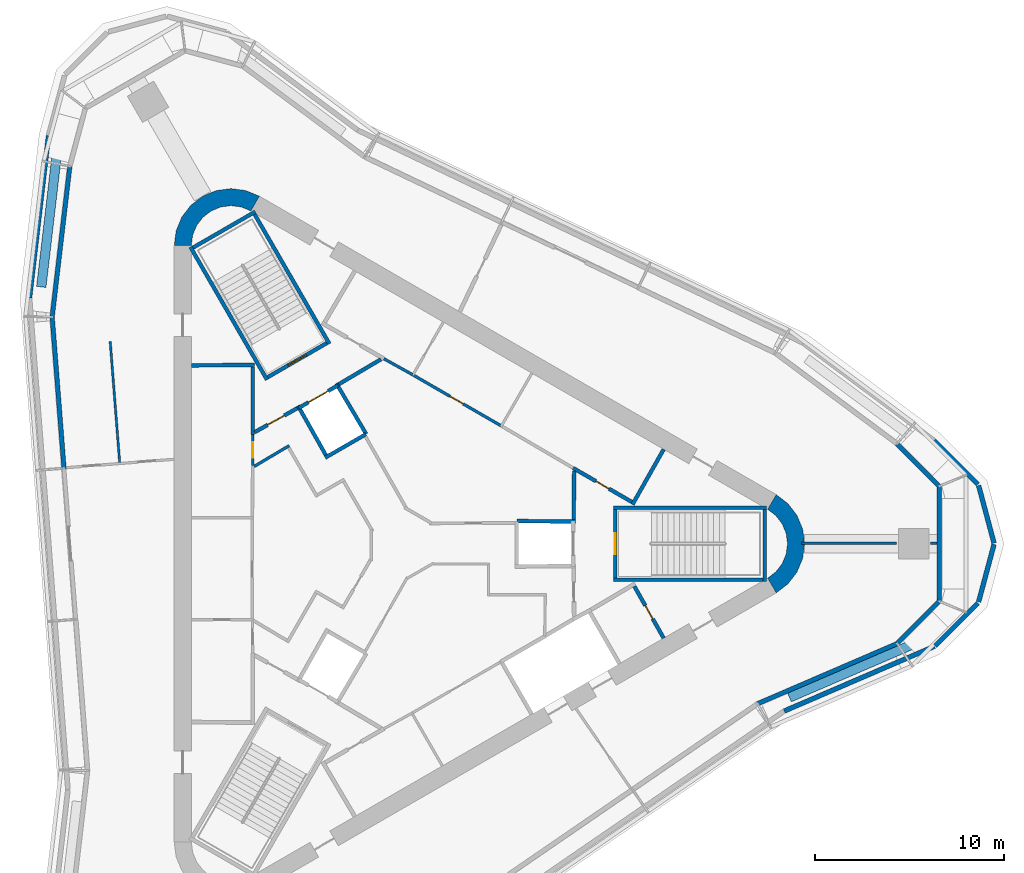
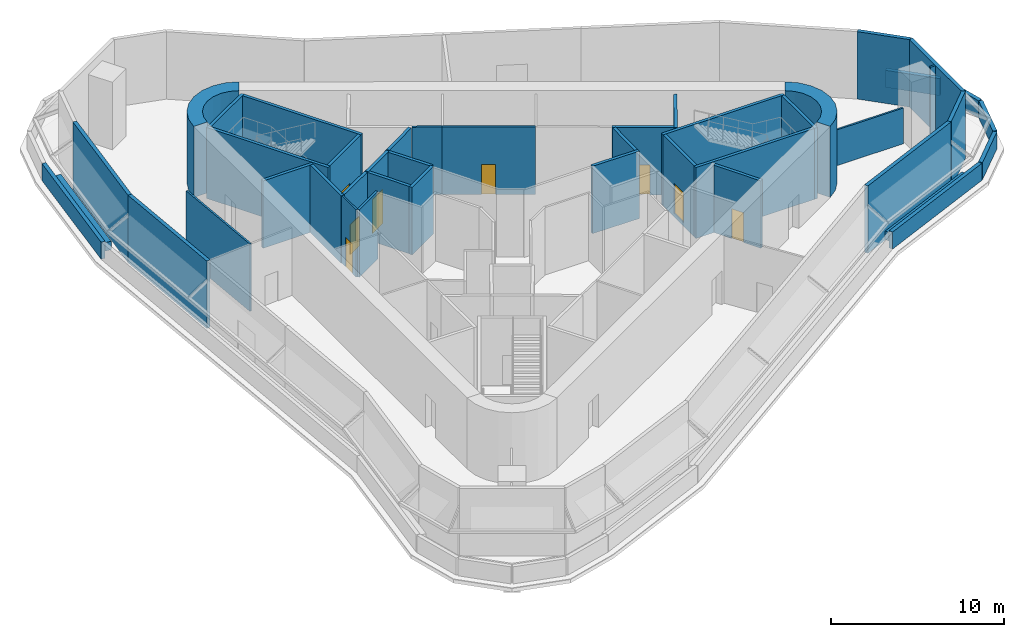
# One storey, part 6 of 8: 44 walls, 8 doors, 8 openings.
"""IFC4 building model written with IfcOpenShell, lengths in metres."""

from ifc_helpers import new_model, si_unit, direction, frame, frame_2d, origin, place, context, subcontext, project, spatial, polyline, rectangle, outline, extrude, material, layer, layer_set, type_object, element, fill, save


model = new_model("IFC4")

# Units and contexts
model_context = context("Model", 3, precision=1e-05, world=origin(), true_north=direction((0.0, 1.0)))
body_context = subcontext(model_context, "Body", "Model", "MODEL_VIEW")
ifc_project = project(units=[si_unit("LENGTHUNIT", "METRE"), si_unit("AREAUNIT", "SQUARE_METRE"), si_unit("VOLUMEUNIT", "CUBIC_METRE"), si_unit("PLANEANGLEUNIT", "RADIAN"), si_unit("MASSUNIT", "GRAM", prefix="KILO")], contexts=[model_context])

# Site, building, storey
site_placement = place(None, origin())
site = spatial("IfcSite", under=ifc_project, at=site_placement, CompositionType="ELEMENT")
building_placement = place(site_placement, origin())
building = spatial("IfcBuilding", under=site, at=building_placement, Name="Tanit Gate Tower", CompositionType="ELEMENT")
storey_placement = place(building_placement, frame((0.0, 0.0, 415.300048828125)))
storey = spatial("IfcBuildingStorey", under=building, at=storey_placement, Name="L94", CompositionType="ELEMENT", Elevation=415.300048828125)

# Walls
ifc_material_1 = material(Name="Concrete C40/50", Category="concrete")
ifc_layer_1 = layer(ifc_material_1, 0.89990234375)
ifc_layer_set_1 = layer_set([ifc_layer_1], Name="CORE WALL 900 C40/50")
wall_type_1 = type_object("IfcWallType", Name="CORE WALL 900 C40/50", PredefinedType="SHEAR", material=ifc_layer_set_1)
wall_1_placement = place(storey_placement, origin())
element("IfcWall", 1, at=wall_1_placement, inside=storey, type_object=wall_type_1, Name="CORE WALL CORNER", PredefinedType="SHEAR", context=body_context, shape_type="SweptSolid", body=[
    extrude(outline(polyline([(-7.60009765625, 18.359619140625), (-8.323486328125, 18.659423828125), (-9.10009765625, 18.76171875), (-9.87646484375, 18.659423828125), (-10.60009765625, 18.359619140625), (-11.22119140625, 17.883056640625), (-11.697998046875, 17.26171875), (-11.997802734375, 16.5380859375), (-12.10009765625, 15.76171875), (-11.199951171875, 15.76171875), (-11.12841796875, 16.30517578125), (-10.918701171875, 16.811767578125), (-10.5849609375, 17.24658203125), (-10.14990234375, 17.580322265625), (-9.6435546875, 17.7900390625), (-9.10009765625, 17.86181640625), (-8.556396484375, 17.7900390625), (-8.050048828125, 17.580322265625), (-7.60009765625, 18.359619140625)])), origin(), (0.0, 0.0, 1.0), 5.0),
])
wall_2_placement = place(storey_placement, origin())
element("IfcWall", 2, at=wall_2_placement, inside=storey, type_object=wall_type_1, Name="CORE WALL CORNER", PredefinedType="SHEAR", context=body_context, shape_type="SweptSolid", body=[
    extrude(outline(polyline([(19.699951171875, -2.59814453125), (20.3212890625, -2.121337890625), (20.798095703125, -1.5), (21.097900390625, -0.776611328125), (21.199951171875, 0.0), (21.097900390625, 0.776611328125), (20.798095703125, 1.5), (20.3212890625, 2.121337890625), (19.699951171875, 2.59814453125), (19.25, 1.818603515625), (19.684814453125, 1.48486328125), (20.018798828125, 1.050048828125), (20.228515625, 0.54345703125), (20.300048828125, 0.0), (20.228515625, -0.54345703125), (20.018798828125, -1.050048828125), (19.684814453125, -1.48486328125), (19.25, -1.818603515625), (19.699951171875, -2.59814453125)])), origin(), (0.0, 0.0, 1.0), 5.0),
])
ifc_material_2 = material(Name="Concrete C30/37 with bronze anodised aluminium cladding", Category="concrete")
ifc_layer_2 = layer(ifc_material_2, 0.239990234375)
ifc_layer_set_2 = layer_set([ifc_layer_2], Name="Facade wall bronze clad 240")
wall_type_2 = type_object("IfcWallType", Name="Facade wall bronze clad 240", PredefinedType="SOLIDWALL", material=ifc_layer_set_2)
wall_3_placement = place(storey_placement, frame((-17.61572265625, 19.94287109375, 0.0), z_axis=(0.0, 0.0, 1.0), x_axis=(-0.116343174056, -0.993209074591, 0.0)))
element("IfcWall", 3, at=wall_3_placement, inside=storey, type_object=wall_type_2, Name="Bronze-clad facade wall L94 W1", PredefinedType="SOLIDWALL", context=body_context, shape_type="SweptSolid", body=[
    extrude(rectangle(XDim=8.020263671875, YDim=0.239990234375, at=frame_2d((4.01025390625, 0.0))), origin(), (0.0, 0.0, 1.0), 4.75),
])
wall_4_placement = place(storey_placement, frame((-18.548828125, 11.97705078125, 0.0), z_axis=(0.0, 0.0, 1.0), x_axis=(0.077862150408, -0.996964134527, 0.0)))
element("IfcWall", 4, at=wall_4_placement, inside=storey, type_object=wall_type_2, Name="Bronze-clad facade wall L94 W2a", PredefinedType="SOLIDWALL", context=body_context, shape_type="SweptSolid", body=[
    extrude(rectangle(XDim=8.02392578125, YDim=0.239990234375, at=frame_2d((4.011962890625, 0.0))), origin(), (0.0, 0.0, 1.0), 4.75),
])
wall_5_placement = place(storey_placement, frame((18.715576171875, -8.452880859375, 0.0), z_axis=(0.0, 0.0, 1.0), x_axis=(0.91830312374, 0.395877977323, 0.0)))
element("IfcWall", 5, at=wall_5_placement, inside=storey, type_object=wall_type_2, Name="Bronze-clad facade wall L94 SE3", PredefinedType="SOLIDWALL", context=body_context, shape_type="SweptSolid", body=[
    extrude(rectangle(XDim=8.029541015625, YDim=0.239990234375, at=frame_2d((4.0146484375, 0.0))), origin(), (0.0, 0.0, 1.0), 4.75),
])
wall_6_placement = place(storey_placement, frame((26.089111328125, -5.274169921875, 0.0), z_axis=(0.0, 0.0, 1.0), x_axis=(0.707106781187, 0.707106781187, 0.0)))
element("IfcWall", 6, at=wall_6_placement, inside=storey, type_object=wall_type_2, Name="Bronze-clad facade wall L94 E.arc1", PredefinedType="SOLIDWALL", context=body_context, shape_type="SweptSolid", body=[
    extrude(rectangle(XDim=3.15771484375, YDim=0.239990234375, at=frame_2d((1.578857421875, 0.0))), origin(), (0.0, 0.0, 1.0), 4.75),
])
wall_7_placement = place(storey_placement, frame((28.322021484375, -3.041259765625, 0.0), z_axis=(0.0, 0.0, 1.0), x_axis=(0.0, 1.0, 0.0)))
element("IfcWall", 7, at=wall_7_placement, inside=storey, type_object=wall_type_2, Name="Bronze-clad facade wall L94 E.arc2", PredefinedType="SOLIDWALL", context=body_context, shape_type="SweptSolid", body=[
    extrude(rectangle(XDim=6.08251953125, YDim=0.239990234375, at=frame_2d((3.041259765625, 0.0))), origin(), (0.0, 0.0, 1.0), 4.75),
])
wall_8_placement = place(storey_placement, frame((28.322021484375, 3.041259765625, 0.0), z_axis=(0.0, 0.0, 1.0), x_axis=(-0.707106781187, 0.707106781187, 0.0)))
element("IfcWall", 8, at=wall_8_placement, inside=storey, type_object=wall_type_2, Name="Bronze-clad facade wall L94 E.arc3", PredefinedType="SOLIDWALL", context=body_context, shape_type="SweptSolid", body=[
    extrude(rectangle(XDim=3.17236328125, YDim=0.239990234375, at=frame_2d((1.586181640625, 0.0))), origin(), (0.0, 0.0, 1.0), 4.75),
])
ifc_material_3 = material(Name="Fire-rated gypsum board partition")
ifc_layer_3 = layer(ifc_material_3, 0.199951171875)
ifc_layer_set_3 = layer_set([ifc_layer_3], Name="INT-WALL-COMPARTMENT")
wall_type_3 = type_object("IfcWallType", Name="INT-WALL-COMPARTMENT", PredefinedType="PARTITIONING", material=ifc_layer_set_3)
wall_9_placement = place(storey_placement, frame((-7.85009765625, 9.450927734375, 0.0), z_axis=(0.0, 0.0, 1.0), x_axis=(-0.999957167047, -0.009255488683, 0.0)))
element("IfcWall", 9, at=wall_9_placement, inside=storey, type_object=wall_type_3, Name="Wall Compartment W031", PredefinedType="PARTITIONING", context=body_context, shape_type="SweptSolid", body=[
    extrude(rectangle(XDim=3.35009765625, YDim=0.199951171875, at=frame_2d((1.675048828125, 0.0))), origin(), (0.0, 0.0, 1.0), 4.75),
])
wall_10_placement = place(storey_placement, frame((-7.949951171875, 5.7724609375, 0.0), z_axis=(0.0, 0.0, 1.0), x_axis=(0.0, 1.0, 0.0)))
element("IfcWall", 10, at=wall_10_placement, inside=storey, type_object=wall_type_3, Name="Wall Compartment W032", PredefinedType="PARTITIONING", context=body_context, shape_type="SweptSolid", body=[
    extrude(rectangle(XDim=3.57763671875, YDim=0.199951171875, at=frame_2d((1.788818359375, 0.0))), origin(), (0.0, 0.0, 1.0), 4.75),
])
wall_11_placement = place(storey_placement, frame((12.10986328125, 2.07275390625, 0.0), z_axis=(0.0, 0.0, 1.0), x_axis=(0.49196600604, 0.870614408852, 0.0)))
element("IfcWall", 11, at=wall_11_placement, inside=storey, type_object=wall_type_3, Name="Wall Compartment W041", PredefinedType="PARTITIONING", context=body_context, shape_type="SweptSolid", body=[
    extrude(rectangle(XDim=3.35009765625, YDim=0.199951171875, at=frame_2d((1.675048828125, 0.0))), origin(), (0.0, 0.0, 1.0), 4.75),
])

# Wall, opening, door
wall_12_placement = place(storey_placement, frame((8.97412109375, 3.998779296875, 0.0), z_axis=(0.0, 0.0, 1.0), x_axis=(0.86601284211, -0.500021756827, 0.0)))
wall_12 = element("IfcWall", 12, at=wall_12_placement, inside=storey, type_object=wall_type_3, Name="Wall Compartment W042", PredefinedType="PARTITIONING", context=body_context, shape_type="SweptSolid", body=[
    extrude(rectangle(XDim=3.577392578125, YDim=0.199951171875, at=frame_2d((1.78857421875, 0.0))), origin(), (0.0, 0.0, 1.0), 4.75),
])
opening_1_placement = place(wall_12_placement, frame((1.388916015625, 0.0, 0.0)))
opening_1 = element("IfcOpeningElement", 13, at=opening_1_placement, cuts=wall_12, Name="Opening R08-94-16", PredefinedType="OPENING", context=body_context, shape_type="SweptSolid", body=[
    extrude(rectangle(XDim=0.800048828125, YDim=2.10009765625, at=frame_2d((0.39990234375, 1.050048828125))), frame((0.0, 0.10986328125, 0.0), z_axis=(0.0, -1.0, 0.0), x_axis=(1.0, 0.0, 0.0)), (0.0, 0.0, 1.0), 0.219970703125),
])
ifc_material_4 = material(Name="Timber door leaf", Category="wood")
door_type_1 = type_object("IfcDoorType", Name="INT-DOOR-RISER-800", OperationType="NOTDEFINED", PredefinedType="USERDEFINED", material=ifc_material_4)
door_1_placement = place(opening_1_placement, origin())
door_1 = element("IfcDoor", 14, at=door_1_placement, inside=storey, type_object=door_type_1, Name="Door R08-94-16", ObjectType="FIRE DOOR", OperationType="SINGLE_SWING_LEFT", OverallHeight=2.10009765625, OverallWidth=0.800048828125, PredefinedType="USERDEFINED", context=body_context, shape_type="SweptSolid", body=[
    extrude(rectangle(XDim=0.800048828125, YDim=2.10009765625, at=frame_2d((0.39990234375, 1.050048828125))), frame((0.0, 0.02490234375, 0.0), z_axis=(0.0, -1.0, 0.0), x_axis=(1.0, 0.0, 0.0)), (0.0, 0.0, 1.0), 0.050048828125),
])
fill(opening_1, door_1)

wall_13_placement = place(storey_placement, frame((13.758056640625, -4.989501953125, 0.0), z_axis=(0.0, 0.0, 1.0), x_axis=(-0.491993409184, 0.87059892334, 0.0)))
wall_13 = element("IfcWall", 15, at=wall_13_placement, inside=storey, type_object=wall_type_3, Name="Wall Compartment W055", PredefinedType="PARTITIONING", context=body_context, shape_type="SweptSolid", body=[
    extrude(rectangle(XDim=3.150146484375, YDim=0.199951171875, at=frame_2d((1.5751953125, 0.0))), origin(), (0.0, 0.0, 1.0), 4.75),
])
opening_2_placement = place(wall_13_placement, frame((1.175048828125, 0.0, 0.0)))
opening_2 = element("IfcOpeningElement", 16, at=opening_2_placement, cuts=wall_13, Name="Opening R08-94-21", PredefinedType="OPENING", context=body_context, shape_type="SweptSolid", body=[
    extrude(rectangle(XDim=0.800048828125, YDim=2.10009765625, at=frame_2d((0.39990234375, 1.050048828125))), frame((0.0, 0.10986328125, 0.0), z_axis=(0.0, -1.0, 0.0), x_axis=(1.0, 0.0, 0.0)), (0.0, 0.0, 1.0), 0.219970703125),
])
door_2_placement = place(opening_2_placement, origin())
door_2 = element("IfcDoor", 17, at=door_2_placement, inside=storey, type_object=door_type_1, Name="Door R08-94-21", ObjectType="FIRE DOOR", OperationType="SINGLE_SWING_RIGHT", OverallHeight=2.10009765625, OverallWidth=0.800048828125, PredefinedType="USERDEFINED", context=body_context, shape_type="SweptSolid", body=[
    extrude(rectangle(XDim=0.800048828125, YDim=2.10009765625, at=frame_2d((0.39990234375, 1.050048828125))), frame((0.0, 0.02490234375, 0.0), z_axis=(0.0, -1.0, 0.0), x_axis=(1.0, 0.0, 0.0)), (0.0, 0.0, 1.0), 0.050048828125),
])
fill(opening_2, door_2)

# Walls
for number, where, z_axis, x_axis, name in (
    (18, (9.0009765625, 1.27001953125, 0.0), (0.0, 0.0, 1.0), (0.010780534828, 0.999941888346, 0.0), "Wall Compartment W056"),
    (19, (-1.1787109375, 9.744873046875, 0.0), (0.0, 0.0, 1.0), (-0.860630814782, -0.509229418482, 0.0), "Wall Compartment W058"),
):
    element("IfcWall", number, at=place(storey_placement, frame(where, z_axis=z_axis, x_axis=x_axis)), inside=storey, type_object=wall_type_3, Name=name, PredefinedType="PARTITIONING", context=body_context, shape_type="SweptSolid", body=[
        extrude(rectangle(XDim=2.581787109375, YDim=0.199951171875, at=frame_2d((1.291015625, 0.0))), origin(), (0.0, 0.0, 1.0), 4.75),
    ])

# Wall, opening, door
wall_14_placement = place(storey_placement, frame((-5.600341796875, 7.16015625, 0.0), z_axis=(0.0, 0.0, 1.0), x_axis=(-0.871350695252, -0.490660744185, 0.0)))
wall_14 = element("IfcWall", 20, at=wall_14_placement, inside=storey, type_object=wall_type_3, Name="Wall Compartment W059", PredefinedType="PARTITIONING", context=body_context, shape_type="SweptSolid", body=[
    extrude(rectangle(XDim=2.58203125, YDim=0.199951171875, at=frame_2d((1.291015625, 0.0))), origin(), (0.0, 0.0, 1.0), 4.75),
])
opening_3_placement = place(wall_14_placement, frame((0.791015625, 0.0, 0.0)))
opening_3 = element("IfcOpeningElement", 21, at=opening_3_placement, cuts=wall_14, Name="Opening F10-94-05", PredefinedType="OPENING", context=body_context, shape_type="SweptSolid", body=[
    extrude(rectangle(XDim=1.0, YDim=2.10009765625, at=frame_2d((0.5, 1.050048828125))), frame((0.0, 0.10986328125, 0.0), z_axis=(0.0, -1.0, 0.0), x_axis=(1.0, 0.0, 0.0)), (0.0, 0.0, 1.0), 0.219970703125),
])
ifc_material_5 = material(Name="Fire-rated steel door leaf", Category="steel")
door_type_2 = type_object("IfcDoorType", Name="INT-DOOR-FIRE-1000", OperationType="NOTDEFINED", PredefinedType="USERDEFINED", material=ifc_material_5)
door_3_placement = place(opening_3_placement, origin())
door_3 = element("IfcDoor", 22, at=door_3_placement, inside=storey, type_object=door_type_2, Name="Door F10-94-05", ObjectType="FIRE DOOR", OperationType="SINGLE_SWING_RIGHT", OverallHeight=2.10009765625, OverallWidth=1.0, PredefinedType="USERDEFINED", context=body_context, shape_type="SweptSolid", body=[
    extrude(rectangle(XDim=1.0, YDim=2.10009765625, at=frame_2d((0.5, 1.050048828125))), frame((0.0, 0.02490234375, 0.0), z_axis=(0.0, -1.0, 0.0), x_axis=(1.0, 0.0, 0.0)), (0.0, 0.0, 1.0), 0.050048828125),
])
fill(opening_3, door_3)

ifc_material_6 = material(Name="Gypsum board partition")
ifc_layer_4 = layer(ifc_material_6, 0.1201171875)
ifc_layer_set_4 = layer_set([ifc_layer_4], Name="INT-WALL-PARTITION")
wall_type_4 = type_object("IfcWallType", Name="INT-WALL-PARTITION", PredefinedType="PARTITIONING", material=ifc_layer_set_4)
wall_15_placement = place(storey_placement, frame((-7.949951171875, 4.128173828125, 0.0), z_axis=(0.0, 0.0, 1.0), x_axis=(0.0, 1.0, 0.0)))
wall_15 = element("IfcWall", 23, at=wall_15_placement, inside=storey, type_object=wall_type_4, Name="Wall Partition W034", PredefinedType="PARTITIONING", context=body_context, shape_type="SweptSolid", body=[
    extrude(rectangle(XDim=1.644287109375, YDim=0.1201171875, at=frame_2d((0.822265625, 0.0))), origin(), (0.0, 0.0, 1.0), 4.75),
])
opening_4_placement = place(wall_15_placement, frame((0.422119140625, 0.0, 0.0)))
opening_4 = element("IfcOpeningElement", 24, at=opening_4_placement, cuts=wall_15, Name="Opening R08-94-13", PredefinedType="OPENING", context=body_context, shape_type="SweptSolid", body=[
    extrude(rectangle(XDim=0.800048828125, YDim=2.10009765625, at=frame_2d((0.39990234375, 1.050048828125))), frame((0.0, 0.070068359375, 0.0), z_axis=(0.0, -1.0, 0.0), x_axis=(1.0, 0.0, 0.0)), (0.0, 0.0, 1.0), 0.14013671875),
])
door_4_placement = place(opening_4_placement, origin())
door_4 = element("IfcDoor", 25, at=door_4_placement, inside=storey, type_object=door_type_1, Name="Door R08-94-13", ObjectType="FIRE DOOR", OperationType="SINGLE_SWING_RIGHT", OverallHeight=2.10009765625, OverallWidth=0.800048828125, PredefinedType="USERDEFINED", context=body_context, shape_type="SweptSolid", body=[
    extrude(rectangle(XDim=0.800048828125, YDim=2.10009765625, at=frame_2d((0.39990234375, 1.050048828125))), frame((0.0, 0.02490234375, 0.0), z_axis=(0.0, -1.0, 0.0), x_axis=(1.0, 0.0, 0.0)), (0.0, 0.0, 1.0), 0.050048828125),
])
fill(opening_4, door_4)

# Walls
wall_16_placement = place(storey_placement, frame((-15.483154296875, 10.687744140625, 0.0), z_axis=(0.0, 0.0, 1.0), x_axis=(0.077862584508, -0.996964100624, 0.0)))
element("IfcWall", 26, at=wall_16_placement, inside=storey, type_object=wall_type_4, Name="Wall Partition W080", PredefinedType="PARTITIONING", context=body_context, shape_type="SweptSolid", body=[
    extrude(rectangle(XDim=6.5, YDim=0.1201171875, at=frame_2d((3.25, 0.0))), origin(), (0.0, 0.0, 1.0), 4.75),
])
wall_17_placement = place(storey_placement, frame((21.046142578125, 0.030029296875, 0.0), z_axis=(0.0, 0.0, 1.0), x_axis=(1.0, 0.0, 0.0)))
element("IfcWall", 27, at=wall_17_placement, inside=storey, type_object=wall_type_4, Name="Wall Partition W086", PredefinedType="PARTITIONING", context=body_context, shape_type="SweptSolid", body=[
    extrude(rectangle(XDim=5.014892578125, YDim=0.1201171875, at=frame_2d((2.50732421875, 0.0))), origin(), (0.0, 0.0, 1.0), 2.52001953125),
])
wall_18_placement = place(storey_placement, frame((27.861083984375, 0.030029296875, 0.0), z_axis=(0.0, 0.0, 1.0), x_axis=(1.0, 0.0, 0.0)))
element("IfcWall", 28, at=wall_18_placement, inside=storey, type_object=wall_type_4, Name="Wall Partition W087", PredefinedType="PARTITIONING", context=body_context, shape_type="SweptSolid", body=[
    extrude(rectangle(XDim=0.3408203125, YDim=0.1201171875, at=frame_2d((0.17041015625, 0.0))), origin(), (0.0, 0.0, 1.0), 4.75),
])

# Wall, opening, door
ifc_material_7 = material(Name="Fire-rated gypsum board partition")
ifc_layer_5 = layer(ifc_material_7, 0.14990234375)
ifc_layer_set_5 = layer_set([ifc_layer_5], Name="INT-WALL-RISER")
wall_type_5 = type_object("IfcWallType", Name="INT-WALL-RISER", PredefinedType="PLUMBINGWALL", material=ifc_layer_set_5)
wall_19_placement = place(storey_placement, frame((5.1591796875, 6.23583984375, 0.0), z_axis=(0.0, 0.0, 1.0), x_axis=(-0.866028230842, 0.499995103361, 0.0)))
wall_19 = element("IfcWall", 29, at=wall_19_placement, inside=storey, type_object=wall_type_5, Name="Wall Riser W045", PredefinedType="PLUMBINGWALL", context=body_context, shape_type="SweptSolid", body=[
    extrude(rectangle(XDim=5.39990234375, YDim=0.14990234375, at=frame_2d((2.699951171875, 0.0))), origin(), (0.0, 0.0, 1.0), 4.75),
])
opening_5_placement = place(wall_19_placement, frame((2.300048828125, 0.0, 0.0)))
opening_5 = element("IfcOpeningElement", 30, at=opening_5_placement, cuts=wall_19, Name="Opening R08-94-23", PredefinedType="OPENING", context=body_context, shape_type="SweptSolid", body=[
    extrude(rectangle(XDim=0.800048828125, YDim=2.10009765625, at=frame_2d((0.39990234375, 1.050048828125))), frame((0.0, 0.0849609375, 0.0), z_axis=(0.0, -1.0, 0.0), x_axis=(1.0, 0.0, 0.0)), (0.0, 0.0, 1.0), 0.169921875),
])
door_5_placement = place(opening_5_placement, origin())
door_5 = element("IfcDoor", 31, at=door_5_placement, inside=storey, type_object=door_type_1, Name="Door R08-94-23", ObjectType="FIRE DOOR", OperationType="SINGLE_SWING_RIGHT", OverallHeight=2.10009765625, OverallWidth=0.800048828125, PredefinedType="USERDEFINED", context=body_context, shape_type="SweptSolid", body=[
    extrude(rectangle(XDim=0.800048828125, YDim=2.10009765625, at=frame_2d((0.39990234375, 1.050048828125))), frame((0.0, 0.02490234375, 0.0), z_axis=(0.0, -1.0, 0.0), x_axis=(1.0, 0.0, 0.0)), (0.0, 0.0, 1.0), 0.050048828125),
])
fill(opening_5, door_5)

# Walls
wall_20_placement = place(storey_placement, frame((0.482666015625, 8.935791015625, 0.0), z_axis=(0.0, 0.0, 1.0), x_axis=(-0.874290944206, 0.485402250592, 0.0)))
element("IfcWall", 32, at=wall_20_placement, inside=storey, type_object=wall_type_5, Name="Wall Riser W048", PredefinedType="PLUMBINGWALL", context=body_context, shape_type="SweptSolid", body=[
    extrude(rectangle(XDim=1.72265625, YDim=0.14990234375, at=frame_2d((0.861328125, 0.0))), origin(), (0.0, 0.0, 1.0), 4.75),
])
wall_21_placement = place(storey_placement, frame((-6.023681640625, 5.183349609375, 0.0), z_axis=(0.0, 0.0, 1.0), x_axis=(-0.860114558627, -0.510100917503, 0.0)))
element("IfcWall", 33, at=wall_21_placement, inside=storey, type_object=wall_type_5, Name="Wall Riser W071", PredefinedType="PLUMBINGWALL", context=body_context, shape_type="SweptSolid", body=[
    extrude(rectangle(XDim=2.15185546875, YDim=0.14990234375, at=frame_2d((1.075927734375, 0.0))), origin(), (0.0, 0.0, 1.0), 4.75),
])
ifc_material_8 = material(Name="Gypsum shaft wall system")
ifc_layer_6 = layer(ifc_material_8, 0.199951171875)
ifc_layer_set_6 = layer_set([ifc_layer_6], Name="INT-WALL-SHAFT")
wall_type_6 = type_object("IfcWallType", Name="INT-WALL-SHAFT", PredefinedType="PLUMBINGWALL", material=ifc_layer_set_6)
wall_22_placement = place(storey_placement, frame((6.0, 1.199951171875, 0.0), z_axis=(0.0, 0.0, 1.0), x_axis=(0.999949988, -0.010001074852, 0.0)))
element("IfcWall", 34, at=wall_22_placement, inside=storey, type_object=wall_type_6, Name="Wall Shaft W011", PredefinedType="PLUMBINGWALL", context=body_context, shape_type="SweptSolid", body=[
    extrude(rectangle(XDim=3.100341796875, YDim=0.199951171875, at=frame_2d((1.55029296875, 0.0))), origin(), (0.0, 0.0, 1.0), 4.75),
])

# Wall, opening, door
wall_23_placement = place(storey_placement, frame((-5.524169921875, 7.168212890625, 0.0), z_axis=(0.0, 0.0, 1.0), x_axis=(0.866024647952, 0.500001309137, 0.0)))
wall_23 = element("IfcWall", 35, at=wall_23_placement, inside=storey, type_object=wall_type_6, Name="Wall Shaft W018", PredefinedType="PLUMBINGWALL", context=body_context, shape_type="SweptSolid", body=[
    extrude(rectangle(XDim=2.39990234375, YDim=0.199951171875, at=frame_2d((1.199951171875, 0.0))), origin(), (0.0, 0.0, 1.0), 4.75),
])
opening_6_placement = place(wall_23_placement, frame((0.60009765625, 0.0, 0.0)))
opening_6 = element("IfcOpeningElement", 36, at=opening_6_placement, cuts=wall_23, Name="Opening LDFL2-L94", PredefinedType="OPENING", context=body_context, shape_type="SweptSolid", body=[
    extrude(rectangle(XDim=1.199951171875, YDim=2.39990234375, at=frame_2d((0.60009765625, 1.199951171875))), frame((0.0, 0.10986328125, 0.0), z_axis=(0.0, -1.0, 0.0), x_axis=(1.0, 0.0, 0.0)), (0.0, 0.0, 1.0), 0.219970703125),
])
ifc_material_9 = material(Name="Stainless steel sliding door leaf", Category="steel")
door_type_3 = type_object("IfcDoorType", Name="INT-DOOR-LANDING-1200", OperationType="NOTDEFINED", PredefinedType="USERDEFINED", material=ifc_material_9)
door_6_placement = place(opening_6_placement, origin())
door_6 = element("IfcDoor", 37, at=door_6_placement, inside=storey, type_object=door_type_3, Name="Door LDFL2-L94", ObjectType="LANDING DOOR", OperationType="SLIDING_TO_LEFT", OverallHeight=2.39990234375, OverallWidth=1.199951171875, PredefinedType="USERDEFINED", context=body_context, shape_type="SweptSolid", body=[
    extrude(rectangle(XDim=1.199951171875, YDim=2.39990234375, at=frame_2d((0.60009765625, 1.199951171875))), frame((0.0, 0.02490234375, 0.0), z_axis=(0.0, -1.0, 0.0), x_axis=(1.0, 0.0, 0.0)), (0.0, 0.0, 1.0), 0.050048828125),
])
fill(opening_6, door_6)

# Walls
wall_24_placement = place(storey_placement, frame((-3.53759765625, 8.46533203125, 0.0), z_axis=(0.0, 0.0, 1.0), x_axis=(0.508647062354, -0.860975125052, 0.0)))
element("IfcWall", 38, at=wall_24_placement, inside=storey, type_object=wall_type_6, Name="Wall Shaft W019", PredefinedType="PLUMBINGWALL", context=body_context, shape_type="SweptSolid", body=[
    extrude(rectangle(XDim=3.10009765625, YDim=0.199951171875, at=frame_2d((1.550048828125, 0.0))), origin(), (0.0, 0.0, 1.0), 4.75),
])
wall_25_placement = place(storey_placement, frame((-1.978515625, 5.785888671875, 0.0), z_axis=(0.0, 0.0, 1.0), x_axis=(-0.866016689309, -0.500015093611, 0.0)))
element("IfcWall", 39, at=wall_25_placement, inside=storey, type_object=wall_type_6, Name="Wall Shaft W020", PredefinedType="PLUMBINGWALL", context=body_context, shape_type="SweptSolid", body=[
    extrude(rectangle(XDim=2.4794921875, YDim=0.199951171875, at=frame_2d((1.23974609375, 0.0))), origin(), (0.0, 0.0, 1.0), 4.75),
])
wall_26_placement = place(storey_placement, frame((-5.5625, 7.29638671875, 0.0), z_axis=(0.0, 0.0, 1.0), x_axis=(0.49134651263, -0.870964180966, 0.0)))
element("IfcWall", 40, at=wall_26_placement, inside=storey, type_object=wall_type_6, Name="Wall Shaft W021", PredefinedType="PLUMBINGWALL", context=body_context, shape_type="SweptSolid", body=[
    extrude(rectangle(XDim=3.000244140625, YDim=0.199951171875, at=frame_2d((1.5, 0.0))), origin(), (0.0, 0.0, 1.0), 4.75),
])
ifc_material_10 = material(Name="Concrete C40/50", Category="concrete")
ifc_layer_7 = layer(ifc_material_10, 0.199951171875)
ifc_layer_set_7 = layer_set([ifc_layer_7], Name="INT-WALL-STAIR")
wall_type_7 = type_object("IfcWallType", Name="INT-WALL-STAIR", PredefinedType="SHEAR", material=ifc_layer_set_7)
wall_27_placement = place(storey_placement, frame((19.199951171875, 1.89990234375, -0.25), z_axis=(0.0, 0.0, 1.0), x_axis=(-1.0, 0.0, 0.0)))
element("IfcWall", 41, at=wall_27_placement, inside=storey, type_object=wall_type_7, Name="Wall Stair W006", PredefinedType="SHEAR", context=body_context, shape_type="SweptSolid", body=[
    extrude(rectangle(XDim=8.099853515625, YDim=0.199951171875, at=frame_2d((4.0498046875, 0.0))), origin(), (0.0, 0.0, 1.0), 5.0),
])
wall_28_placement = place(storey_placement, frame((19.10009765625, -2.0, -0.25), z_axis=(0.0, 0.0, 1.0), x_axis=(0.0, 1.0, 0.0)))
element("IfcWall", 42, at=wall_28_placement, inside=storey, type_object=wall_type_7, Name="Wall Stair W007", PredefinedType="SHEAR", context=body_context, shape_type="SweptSolid", body=[
    extrude(rectangle(XDim=3.800048828125, YDim=0.199951171875, at=frame_2d((1.89990234375, 0.0))), origin(), (0.0, 0.0, 1.0), 5.0),
])
wall_29_placement = place(storey_placement, frame((11.10009765625, -1.89990234375, -0.25), z_axis=(0.0, 0.0, 1.0), x_axis=(1.0, 0.0, 0.0)))
element("IfcWall", 43, at=wall_29_placement, inside=storey, type_object=wall_type_7, Name="Wall Stair W008", PredefinedType="SHEAR", context=body_context, shape_type="SweptSolid", body=[
    extrude(rectangle(XDim=7.89990234375, YDim=0.199951171875, at=frame_2d((3.949951171875, 0.0))), origin(), (0.0, 0.0, 1.0), 5.0),
])

# Wall, opening, door
wall_30_placement = place(storey_placement, frame((11.199951171875, -1.800048828125, -0.25), z_axis=(0.0, 0.0, 1.0), x_axis=(0.0, 1.0, 0.0)))
wall_30 = element("IfcWall", 44, at=wall_30_placement, inside=storey, type_object=wall_type_7, Name="Wall Stair W009", PredefinedType="SHEAR", context=body_context, shape_type="SweptSolid", body=[
    extrude(rectangle(XDim=3.60009765625, YDim=0.199951171875, at=frame_2d((1.800048828125, 0.0))), origin(), (0.0, 0.0, 1.0), 5.0),
])
opening_7_placement = place(wall_30_placement, frame((1.25, 0.0, 0.25)))
opening_7 = element("IfcOpeningElement", 45, at=opening_7_placement, cuts=wall_30, Name="Opening S11-94-01", PredefinedType="OPENING", context=body_context, shape_type="SweptSolid", body=[
    extrude(rectangle(XDim=1.10009765625, YDim=2.10009765625, at=frame_2d((0.550048828125, 1.050048828125))), frame((0.0, 0.10986328125, 0.0), z_axis=(0.0, -1.0, 0.0), x_axis=(1.0, 0.0, 0.0)), (0.0, 0.0, 1.0), 0.219970703125),
])
ifc_material_11 = material(Name="Timber door leaf", Category="wood")
door_type_4 = type_object("IfcDoorType", Name="INT-DOOR-STAIR-1100", OperationType="NOTDEFINED", PredefinedType="USERDEFINED", material=ifc_material_11)
door_7_placement = place(opening_7_placement, origin())
door_7 = element("IfcDoor", 46, at=door_7_placement, inside=storey, type_object=door_type_4, Name="Door S11-94-01", ObjectType="FIRE DOOR", OperationType="SINGLE_SWING_LEFT", OverallHeight=2.10009765625, OverallWidth=1.10009765625, PredefinedType="USERDEFINED", context=body_context, shape_type="SweptSolid", body=[
    extrude(rectangle(XDim=1.10009765625, YDim=2.10009765625, at=frame_2d((0.550048828125, 1.050048828125))), frame((0.0, 0.02490234375, 0.0), z_axis=(0.0, -1.0, 0.0), x_axis=(1.0, 0.0, 0.0)), (0.0, 0.0, 1.0), 0.050048828125),
])
fill(opening_7, door_7)

# Walls
wall_31_placement = place(storey_placement, frame((-11.245361328125, 15.677734375, -0.25), z_axis=(0.0, 0.0, 1.0), x_axis=(0.499977274689, -0.866038523851, 0.0)))
element("IfcWall", 47, at=wall_31_placement, inside=storey, type_object=wall_type_7, Name="Wall Stair W014", PredefinedType="SHEAR", context=body_context, shape_type="SweptSolid", body=[
    extrude(rectangle(XDim=8.10009765625, YDim=0.199951171875, at=frame_2d((4.050048828125, 0.0))), origin(), (0.0, 0.0, 1.0), 5.0),
])
wall_32_placement = place(storey_placement, frame((-7.81787109375, 17.541015625, -0.25), z_axis=(0.0, 0.0, 1.0), x_axis=(-0.866044365799, -0.499967155389, 0.0)))
element("IfcWall", 48, at=wall_32_placement, inside=storey, type_object=wall_type_7, Name="Wall Stair W015", PredefinedType="SHEAR", context=body_context, shape_type="SweptSolid", body=[
    extrude(rectangle(XDim=3.800048828125, YDim=0.199951171875, at=frame_2d((1.89990234375, 0.0))), origin(), (0.0, 0.0, 1.0), 5.0),
])
wall_33_placement = place(storey_placement, frame((-7.8544921875, 17.404541015625, -0.25), z_axis=(0.0, 0.0, 1.0), x_axis=(0.499997992926, -0.866026562566, 0.0)))
element("IfcWall", 49, at=wall_33_placement, inside=storey, type_object=wall_type_7, Name="Wall Stair W016", PredefinedType="SHEAR", context=body_context, shape_type="SweptSolid", body=[
    extrude(rectangle(XDim=7.89990234375, YDim=0.199951171875, at=frame_2d((3.949951171875, 0.0))), origin(), (0.0, 0.0, 1.0), 5.0),
])

# Wall, opening, door
wall_34_placement = place(storey_placement, frame((-7.158935546875, 8.799560546875, -0.25), z_axis=(0.0, 0.0, 1.0), x_axis=(0.866047807691, 0.499961193289, 0.0)))
wall_34 = element("IfcWall", 50, at=wall_34_placement, inside=storey, type_object=wall_type_7, Name="Wall Stair W017", PredefinedType="SHEAR", context=body_context, shape_type="SweptSolid", body=[
    extrude(rectangle(XDim=3.599853515625, YDim=0.199951171875, at=frame_2d((1.7998046875, 0.0))), origin(), (0.0, 0.0, 1.0), 5.0),
])
opening_8_placement = place(wall_34_placement, frame((1.25, 0.0, 0.25)))
opening_8 = element("IfcOpeningElement", 51, at=opening_8_placement, cuts=wall_34, Name="Opening S11-94-04", PredefinedType="OPENING", context=body_context, shape_type="SweptSolid", body=[
    extrude(rectangle(XDim=1.10009765625, YDim=2.10009765625, at=frame_2d((0.550048828125, 1.050048828125))), frame((0.0, 0.10986328125, 0.0), z_axis=(0.0, -1.0, 0.0), x_axis=(1.0, 0.0, 0.0)), (0.0, 0.0, 1.0), 0.219970703125),
])
door_8_placement = place(opening_8_placement, origin())
door_8 = element("IfcDoor", 52, at=door_8_placement, inside=storey, type_object=door_type_4, Name="Door S11-94-04", ObjectType="FIRE DOOR", OperationType="SINGLE_SWING_LEFT", OverallHeight=2.10009765625, OverallWidth=1.10009765625, PredefinedType="USERDEFINED", context=body_context, shape_type="SweptSolid", body=[
    extrude(rectangle(XDim=1.10009765625, YDim=2.10009765625, at=frame_2d((0.550048828125, 1.050048828125))), frame((0.0, 0.02490234375, 0.0), z_axis=(0.0, -1.0, 0.0), x_axis=(1.0, 0.0, 0.0)), (0.0, 0.0, 1.0), 0.050048828125),
])
fill(opening_8, door_8)

# Walls
ifc_material_12 = material(Name="Concrete C30/37", Category="concrete")
ifc_layer_8 = layer(ifc_material_12, 0.25)
ifc_layer_set_8 = layer_set([ifc_layer_8], Name="Parapet wall 250")
wall_type_8 = type_object("IfcWallType", Name="Parapet wall 250", PredefinedType="PARAPET", material=ifc_layer_set_8)
wall_35_placement = place(storey_placement, frame((28.048828125, 5.4443359375, 0.0400390625), z_axis=(0.0, 0.0, 1.0), x_axis=(0.707106781187, -0.707106781187, 0.0)))
element("IfcWall", 53, at=wall_35_placement, inside=storey, type_object=wall_type_8, Name="Terrace parapet L94 1", PredefinedType="PARAPET", context=body_context, shape_type="SweptSolid", body=[
    extrude(rectangle(XDim=3.271728515625, YDim=0.25, at=frame_2d((1.6357421875, 0.0))), origin(), (0.0, 0.0, 1.0), 1.199951171875),
])
for number, where, z_axis, x_axis, name in (
    (54, (30.39453125, 3.07470703125, 0.0400390625), (0.0, 0.0, 1.0), (0.258825200751, -0.965924176867, 0.0), "Terrace parapet L94 2"),
    (55, (31.209716796875, -0.032470703125, 0.0400390625), (0.0, 0.0, 1.0), (-0.258825200751, -0.965924176867, 0.0), "Terrace parapet L94 3"),
):
    element("IfcWall", number, at=place(storey_placement, frame(where, z_axis=z_axis, x_axis=x_axis)), inside=storey, type_object=wall_type_8, Name=name, PredefinedType="PARAPET", context=body_context, shape_type="SweptSolid", body=[
        extrude(rectangle(XDim=3.149658203125, YDim=0.25, at=frame_2d((1.57470703125, 0.0))), origin(), (0.0, 0.0, 1.0), 1.199951171875),
    ])
wall_36_placement = place(storey_placement, frame((30.3623046875, -3.130859375, 0.0400390625), z_axis=(0.0, 0.0, 1.0), x_axis=(-0.707144954684, -0.707068605628, 0.0)))
element("IfcWall", 56, at=wall_36_placement, inside=storey, type_object=wall_type_8, Name="Terrace parapet L94 4", PredefinedType="PARAPET", context=body_context, shape_type="SweptSolid", body=[
    extrude(rectangle(XDim=3.19775390625, YDim=0.25, at=frame_2d((1.598876953125, 0.0))), origin(), (0.0, 0.0, 1.0), 1.199951171875),
])
wall_37_placement = place(storey_placement, frame((28.062255859375, -5.418212890625, 0.0400390625), z_axis=(0.0, 0.0, 1.0), x_axis=(-0.918306725868, -0.395869621499, 0.0)))
element("IfcWall", 57, at=wall_37_placement, inside=storey, type_object=wall_type_8, Name="Terrace parapet L94 5", PredefinedType="PARAPET", context=body_context, shape_type="SweptSolid", body=[
    extrude(rectangle(XDim=8.6376953125, YDim=0.25, at=frame_2d((4.31884765625, 0.0))), origin(), (0.0, 0.0, 1.0), 1.199951171875),
])
wall_38_placement = place(storey_placement, frame((-19.74462890625, 12.994873046875, 0.0400390625), z_axis=(0.0, 0.0, 1.0), x_axis=(0.116308472351, 0.993213138888, 0.0)))
element("IfcWall", 58, at=wall_38_placement, inside=storey, type_object=wall_type_8, Name="Terrace parapet L94 14", PredefinedType="PARAPET", context=body_context, shape_type="SweptSolid", body=[
    extrude(rectangle(XDim=8.614501953125, YDim=0.25, at=frame_2d((4.30712890625, 0.0))), origin(), (0.0, 0.0, 1.0), 1.199951171875),
])
ifc_material_13 = material(Name="Concrete C30/37", Category="concrete")
ifc_layer_9 = layer(ifc_material_13, 0.5)
ifc_layer_set_9 = layer_set([ifc_layer_9], Name="Planter box 600")
wall_type_9 = type_object("IfcWallType", Name="Planter box 600", PredefinedType="PARAPET", material=ifc_layer_set_9)
wall_39_placement = place(storey_placement, frame((27.21875, -5.182861328125, 0.0400390625), z_axis=(0.0, 0.0, 1.0), x_axis=(-0.918307593702, -0.39586760836, 0.0)))
element("IfcWall", 59, at=wall_39_placement, inside=storey, type_object=wall_type_9, Name="PLANTER", PredefinedType="PARAPET", context=body_context, shape_type="SweptSolid", body=[
    extrude(rectangle(XDim=7.42236328125, YDim=0.5, at=frame_2d((3.711181640625, 0.0))), origin(), (0.0, 0.0, 1.0), 0.599853515625),
])
wall_40_placement = place(storey_placement, frame((-19.123779296875, 13.568115234375, 0.0400390625), z_axis=(0.0, 0.0, 1.0), x_axis=(0.116316458151, 0.993212203692, 0.0)))
element("IfcWall", 60, at=wall_40_placement, inside=storey, type_object=wall_type_9, Name="PLANTER", PredefinedType="PARAPET", context=body_context, shape_type="SweptSolid", body=[
    extrude(rectangle(XDim=7.342041015625, YDim=0.5, at=frame_2d((3.6708984375, 0.0))), origin(), (0.0, 0.0, 1.0), 0.599853515625),
])

save(model, "model.ifc")
